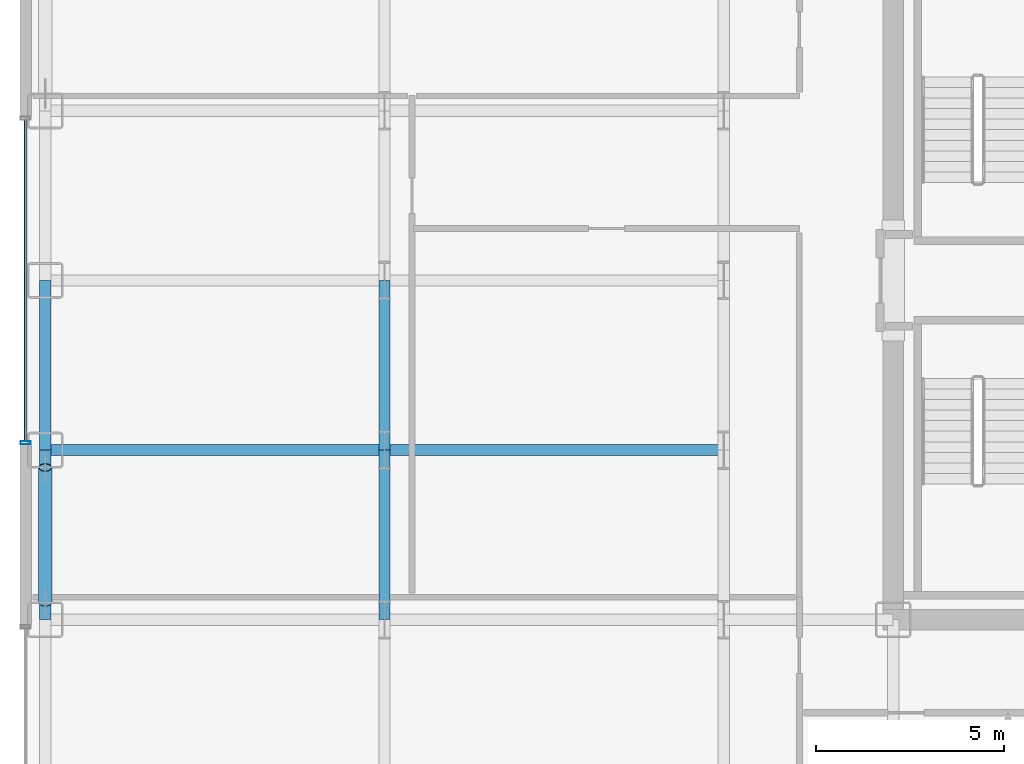
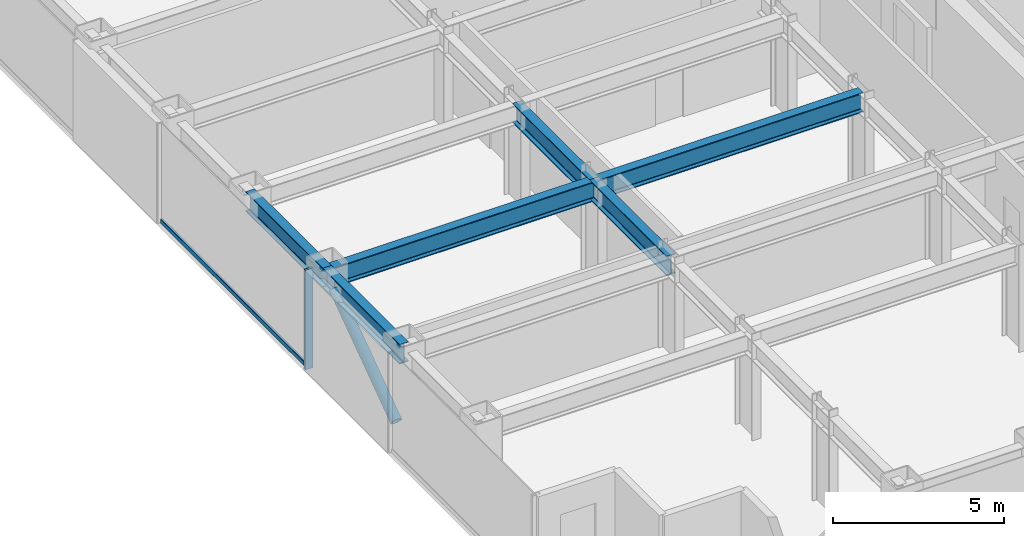
# One storey, part 5 of 29: 6 beams, 3 members, 1 element without a shape of its own.
"""IFC4 building model written with IfcOpenShell, lengths in metres."""

from ifc_helpers import new_model, si_unit, direction, frame, origin, origin_2d, place, context, subcontext, project, spatial, hollow_rectangle, hollow_circle, i_section, extrude, source, transform, mapped, material, layer, layer_set, material_profile, profile_set, type_object, element, aggregate, save


model = new_model("IFC4")

# Units and contexts
model_context = context("Model", 3, precision=1e-05, world=origin(), true_north=direction((0.0, 1.0)))
body_context = subcontext(model_context, "Body", "Model", "MODEL_VIEW")
ifc_project = project(units=[si_unit("LENGTHUNIT", "METRE"), si_unit("AREAUNIT", "SQUARE_METRE"), si_unit("VOLUMEUNIT", "CUBIC_METRE"), si_unit("PLANEANGLEUNIT", "RADIAN"), si_unit("MASSUNIT", "GRAM", prefix="KILO")], contexts=[model_context])

# Site, building, storey
site_placement = place(None, origin())
site = spatial("IfcSite", under=ifc_project, at=site_placement, CompositionType="ELEMENT")
building_placement = place(site_placement, origin())
building = spatial("IfcBuilding", under=site, at=building_placement, Name="Nefas-Gora Pilgrimage Tower", CompositionType="ELEMENT")
storey_placement = place(building_placement, frame((0.0, 0.0, 90.800048828125)))
storey = spatial("IfcBuildingStorey", under=building, at=storey_placement, Name="L21", CompositionType="ELEMENT", Elevation=90.800048828125)

# Beams
ifc_material_1 = material(Name="Steel S355", Category="steel")
ifc_material_profile_1 = material_profile(ifc_material_1, i_section(OverallWidth=0.300048828125, OverallDepth=0.699951171875, WebThickness=0.01708984375, FlangeThickness=0.031982421875, FilletRadius=0.027099609375, at=origin_2d()), Name="HEB 700")
ifc_profile_set_1 = profile_set([ifc_material_profile_1], Name="Steel S355")
beam_type_1 = type_object("IfcBeamType", Name="BM-SPN-HEB600", PredefinedType="SPANDREL", material=ifc_profile_set_1)
shared_shape_1 = source(origin(), body_context, "Body", "SweptSolid", [
    extrude(i_section(OverallWidth=0.300048828125, OverallDepth=0.699951171875, WebThickness=0.01708984375, FlangeThickness=0.031982421875, FilletRadius=0.027099609375, at=origin_2d()), origin(), (0.0, 0.0, 1.0), 4.5),
])
for number, where, z_axis, x_axis, name in (
    (1, (-33.75, -9.0, 3.199951171875), (0.0, 1.0, 0.0), (-1.0, 0.0, 0.0), "L21 SP-01 beam"),
    (2, (-33.75, -4.5, 3.199951171875), (0.0, 1.0, 0.0), (-1.0, 0.0, 0.0), "L21 SP-01 beam"),
):
    element("IfcBeam", number, at=place(storey_placement, frame(where, z_axis=z_axis, x_axis=x_axis)), inside=storey, type_object=beam_type_1, Name=name, PredefinedType="SPANDREL", context=body_context, shape_type="MappedRepresentation", body=[
        mapped(shared_shape_1, transform((0.0, 0.0, 0.0), x_axis=(1.0, 0.0, 0.0), y_axis=(0.0, 1.0, 0.0), z_axis=(0.0, 0.0, 1.0), scale=1.0)),
    ])
ifc_material_profile_2 = material_profile(ifc_material_1, i_section(OverallWidth=0.300048828125, OverallDepth=0.699951171875, WebThickness=0.01708984375, FlangeThickness=0.031982421875, FilletRadius=0.027099609375, at=origin_2d()), Name="HEB 700")
ifc_profile_set_2 = profile_set([ifc_material_profile_2], Name="Steel S355")
beam_type_2 = type_object("IfcBeamType", Name="BM-GIR-HEB700", PredefinedType="BEAM", material=ifc_profile_set_2)
shared_shape_2 = source(origin(), body_context, "Body", "SweptSolid", [
    extrude(i_section(OverallWidth=0.300048828125, OverallDepth=0.699951171875, WebThickness=0.01708984375, FlangeThickness=0.031982421875, FilletRadius=0.027099609375, at=origin_2d()), origin(), (0.0, 0.0, 1.0), 9.0),
])
for number, where, z_axis, x_axis, name in (
    (3, (-33.75, -4.5, 3.199951171875), (1.0, 0.0, 0.0), (0.0, 1.0, 0.0), "L21 G-02 beam"),
    (4, (-24.75, -4.5, 3.199951171875), (1.0, 0.0, 0.0), (0.0, 1.0, 0.0), "L21 G-02 beam"),
):
    element("IfcBeam", number, at=place(storey_placement, frame(where, z_axis=z_axis, x_axis=x_axis)), inside=storey, type_object=beam_type_2, Name=name, PredefinedType="BEAM", context=body_context, shape_type="MappedRepresentation", body=[
        mapped(shared_shape_2, transform((0.0, 0.0, 0.0), x_axis=(1.0, 0.0, 0.0), y_axis=(0.0, 1.0, 0.0), z_axis=(0.0, 0.0, 1.0), scale=1.0)),
    ])
shared_shape_3 = source(origin(), body_context, "Body", "SweptSolid", [
    extrude(i_section(OverallWidth=0.300048828125, OverallDepth=0.699951171875, WebThickness=0.01708984375, FlangeThickness=0.031982421875, FilletRadius=0.027099609375, at=origin_2d()), origin(), (0.0, 0.0, 1.0), 4.5),
])
for number, where, z_axis, x_axis, name in (
    (5, (-24.75, -9.0, 3.199951171875), (0.0, 1.0, 0.0), (-1.0, 0.0, 0.0), "L21 G-02 beam"),
    (6, (-24.75, -4.5, 3.199951171875), (0.0, 1.0, 0.0), (-1.0, 0.0, 0.0), "L21 G-02 beam"),
):
    element("IfcBeam", number, at=place(storey_placement, frame(where, z_axis=z_axis, x_axis=x_axis)), inside=storey, type_object=beam_type_2, Name=name, PredefinedType="BEAM", context=body_context, shape_type="MappedRepresentation", body=[
        mapped(shared_shape_3, transform((0.0, 0.0, 0.0), x_axis=(1.0, 0.0, 0.0), y_axis=(0.0, 1.0, 0.0), z_axis=(0.0, 0.0, 1.0), scale=1.0)),
    ])

# Member
ifc_material_2 = material(Name="Steel S460", Category="steel")
ifc_material_profile_3 = material_profile(ifc_material_2, hollow_circle(Radius=0.177734375, WallThickness=0.02001953125, at=origin_2d()), Name="CHS 355.6x20")
ifc_profile_set_3 = profile_set([ifc_material_profile_3], Name="Steel S460")
member_type_1 = type_object("IfcMemberType", Name="MEM-TUBE-356", PredefinedType="BRACE", material=ifc_profile_set_3)
shared_shape_4 = source(origin(), body_context, "Body", "SweptSolid", [
    extrude(hollow_circle(Radius=0.177734375, WallThickness=0.02001953125, at=origin_2d()), origin(), (0.0, 0.0, 1.0), 4.39501953125),
])
member_1_placement = place(storey_placement, frame((-33.75, -8.537109375, 0.481201171875), z_axis=(0.0, 0.813264026864, 0.581894855287), x_axis=(-1.0, 0.0, 0.0)))
element("IfcMember", 7, at=member_1_placement, inside=storey, type_object=member_type_1, Name="L21 Perimeter Tube Diagonal Brace W1", PredefinedType="BRACE", context=body_context, shape_type="MappedRepresentation", body=[
    mapped(shared_shape_4, transform((0.0, 0.0, 0.0), x_axis=(1.0, 0.0, 0.0), y_axis=(0.0, 1.0, 0.0), z_axis=(0.0, 0.0, 1.0), scale=1.0)),
])

# Curtain wall, members
ifc_material_3 = material(Name="Dark ceramic-fritted solar-control aluminium-glass curtain wall", Category="aluminium")
ifc_layer = layer(ifc_material_3, 0.219970703125)
ifc_layer_set = layer_set([ifc_layer], Name="Dark ceramic-fritted solar-control aluminium-glass curtain wall")
curtain_wall_type = type_object("IfcCurtainWallType", Name="CW-SYS-2", PredefinedType="NOTDEFINED", material=ifc_layer_set)
curtain_wall_placement = place(storey_placement, origin())
curtain_wall = element("IfcCurtainWall", 8, at=curtain_wall_placement, inside=storey, type_object=curtain_wall_type, Name="L21 Unitised Curtain Wall CW2", PredefinedType="NOTDEFINED")
ifc_material_4 = material(Name="Anodised architectural aluminium", Category="aluminium")
ifc_material_profile_4 = material_profile(ifc_material_4, hollow_rectangle(XDim=0.090087890625, YDim=0.260009765625, WallThickness=0.006103515625, InnerFilletRadius=0.006103515625, OuterFilletRadius=0.011962890625, at=origin_2d()), Name="ALU MULLION 90x260")
ifc_profile_set_4 = profile_set([ifc_material_profile_4], Name="Anodised architectural aluminium")
member_type_2 = type_object("IfcMemberType", Name="CWM-MUL-2", PredefinedType="MULLION", material=ifc_profile_set_4)
shared_shape_5 = source(origin(), body_context, "Body", "SweptSolid", [
    extrude(hollow_rectangle(XDim=0.090087890625, YDim=0.260009765625, WallThickness=0.006103515625, InnerFilletRadius=0.006103515625, OuterFilletRadius=0.011962890625, at=origin_2d()), origin(), (0.0, 0.0, 1.0), 3.550048828125),
])
member_2_placement = place(storey_placement, frame((-34.27001953125, -4.304931640625, 0.0), z_axis=(0.0, 0.0, 1.0), x_axis=(0.0, -1.0, 0.0)))
member_2 = element("IfcMember", 9, at=member_2_placement, type_object=member_type_2, Name="CW2 Mullion 2", PredefinedType="MULLION", context=body_context, shape_type="MappedRepresentation", body=[
    mapped(shared_shape_5, transform((0.0, 0.0, 0.0), x_axis=(1.0, 0.0, 0.0), y_axis=(0.0, 1.0, 0.0), z_axis=(0.0, 0.0, 1.0), scale=1.0)),
])
ifc_material_profile_5 = material_profile(ifc_material_4, hollow_rectangle(XDim=0.080078125, YDim=0.159912109375, WallThickness=0.00439453125, InnerFilletRadius=0.00439453125, OuterFilletRadius=0.009033203125, at=origin_2d()), Name="ALU TRANSOM 80x160")
ifc_profile_set_5 = profile_set([ifc_material_profile_5], Name="Anodised architectural aluminium")
member_type_3 = type_object("IfcMemberType", Name="CWM-TRN-2", PredefinedType="USERDEFINED", material=ifc_profile_set_5)
shared_shape_6 = source(origin(), body_context, "Body", "SweptSolid", [
    extrude(hollow_rectangle(XDim=0.080078125, YDim=0.159912109375, WallThickness=0.00439453125, InnerFilletRadius=0.00439453125, OuterFilletRadius=0.009033203125, at=origin_2d()), origin(), (0.0, 0.0, 1.0), 8.52001953125),
])
member_3_placement = place(storey_placement, frame((-34.27001953125, 4.260009765625, 0.050048828125), z_axis=(0.0, -1.0, 0.0), x_axis=(1.0, 0.0, 0.0)))
member_3 = element("IfcMember", 10, at=member_3_placement, type_object=member_type_3, Name="CW2 Spandrel Transom", ObjectType="TRANSOM", PredefinedType="USERDEFINED", context=body_context, shape_type="MappedRepresentation", body=[
    mapped(shared_shape_6, transform((0.0, 0.0, 0.0), x_axis=(1.0, 0.0, 0.0), y_axis=(0.0, 1.0, 0.0), z_axis=(0.0, 0.0, 1.0), scale=1.0)),
])
aggregate(curtain_wall, [member_2, member_3])

save(model, "model.ifc")
